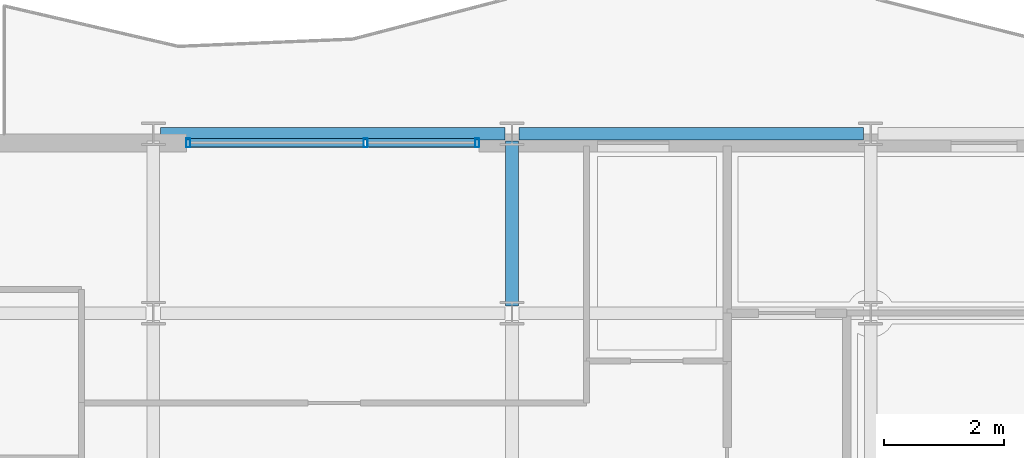
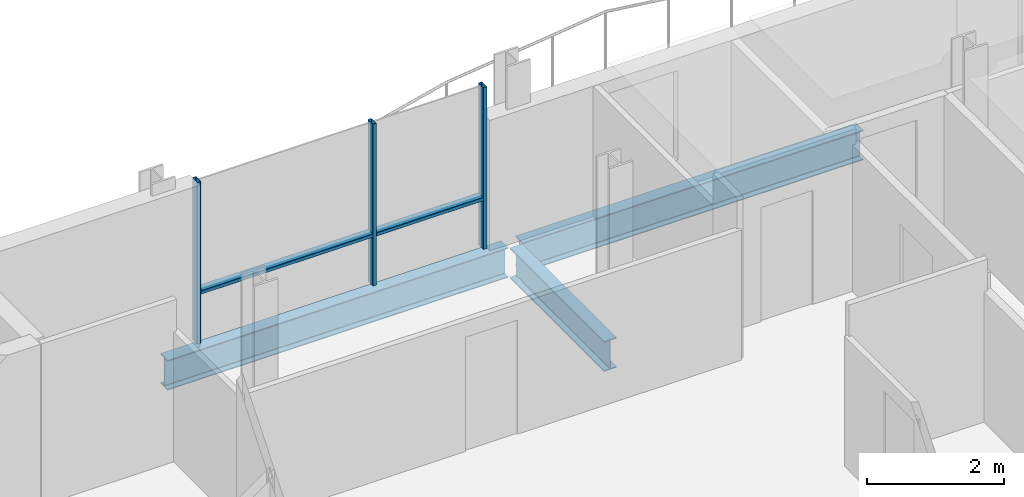
# One storey, part 8 of 38: 5 members, 3 beams, 1 element without a shape of its own.
"""IFC4 building model written with IfcOpenShell, lengths in metres."""

from ifc_helpers import new_model, si_unit, direction, frame, origin, origin_2d, place, context, subcontext, project, spatial, hollow_rectangle, i_section, extrude, material, layer, layer_set, material_profile, profile_set, type_object, element, aggregate, save


model = new_model("IFC4")

# Units and contexts
model_context = context("Model", 3, precision=1e-05, world=origin(), true_north=direction((0.0, 1.0)))
body_context = subcontext(model_context, "Body", "Model", "MODEL_VIEW")
ifc_project = project(units=[si_unit("LENGTHUNIT", "METRE"), si_unit("AREAUNIT", "SQUARE_METRE"), si_unit("VOLUMEUNIT", "CUBIC_METRE"), si_unit("PLANEANGLEUNIT", "RADIAN"), si_unit("MASSUNIT", "GRAM", prefix="KILO")], contexts=[model_context])

# Site, building, storey
site_placement = place(None, origin())
site = spatial("IfcSite", under=ifc_project, at=site_placement, CompositionType="ELEMENT")
building_placement = place(site_placement, origin())
building = spatial("IfcBuilding", under=site, at=building_placement, Name="Brevholm Reach", CompositionType="ELEMENT")
storey_placement = place(building_placement, frame((0.0, 0.0, 186.300048828125)))
storey = spatial("IfcBuildingStorey", under=building, at=storey_placement, Name="L56", CompositionType="ELEMENT", Elevation=186.300048828125)

# Beams
ifc_material_1 = material(Name="Structural Steel S355J2", Category="steel")
ifc_material_profile_1 = material_profile(ifc_material_1, i_section(OverallWidth=0.209228515625, OverallDepth=0.533203125, WebThickness=0.010009765625, FlangeThickness=0.015625, FilletRadius=0.0126953125, at=origin_2d()), Name="UKB 533x210x92")
ifc_profile_set_1 = profile_set([ifc_material_profile_1], Name="Structural Steel S355J2")
beam_type_1 = type_object("IfcBeamType", Name="BM-SP533", PredefinedType="SPANDREL", material=ifc_profile_set_1)
for number, where, z_axis, x_axis, name in (
    (1, (6.1201171875, 26.5, -0.4765625), (1.0, 0.0, 0.0), (0.0, 1.0, 0.0), "L56 SP-02 Framing Beam"),
    (2, (12.1201171875, 26.5, -0.4765625), (1.0, 0.0, 0.0), (0.0, 1.0, 0.0), "L56 SP-02 Framing Beam"),
):
    element("IfcBeam", number, at=place(storey_placement, frame(where, z_axis=z_axis, x_axis=x_axis)), inside=storey, type_object=beam_type_1, Name=name, PredefinedType="SPANDREL", context=body_context, shape_type="SweptSolid", body=[
        extrude(i_section(OverallWidth=0.209228515625, OverallDepth=0.533203125, WebThickness=0.010009765625, FlangeThickness=0.015625, FilletRadius=0.0126953125, at=origin_2d()), origin(), (0.0, 0.0, 1.0), 5.759765625),
    ])
ifc_material_2 = material(Name="Structural Steel S355J2", Category="steel")
ifc_material_profile_2 = material_profile(ifc_material_2, i_section(OverallWidth=0.210693359375, OverallDepth=0.53955078125, WebThickness=0.01171875, FlangeThickness=0.018798828125, FilletRadius=0.0126953125, at=origin_2d()), Name="UKB 533x210x109")
ifc_profile_set_2 = profile_set([ifc_material_profile_2], Name="Structural Steel S355J2")
beam_type_2 = type_object("IfcBeamType", Name="BM-SP539", PredefinedType="SPANDREL", material=ifc_profile_set_2)
beam_placement = place(storey_placement, frame((12.0, 23.6201171875, -0.479736328125), z_axis=(0.0, 1.0, 0.0), x_axis=(-1.0, 0.0, 0.0)))
element("IfcBeam", 3, at=beam_placement, inside=storey, type_object=beam_type_2, Name="L56 SP-01B Framing Beam", PredefinedType="SPANDREL", context=body_context, shape_type="SweptSolid", body=[
    extrude(i_section(OverallWidth=0.210693359375, OverallDepth=0.53955078125, WebThickness=0.01171875, FlangeThickness=0.018798828125, FilletRadius=0.0126953125, at=origin_2d()), origin(), (0.0, 0.0, 1.0), 2.759765625),
])

# Curtain wall, members
ifc_material_3 = material(Name="Dark Anodised Aluminium 6063-T6 and Solar-Control Glass", Category="aluminium")
ifc_layer = layer(ifc_material_3, 0.14990234375)
ifc_layer_set = layer_set([ifc_layer], Name="Dark Anodised Aluminium 6063-T6 and Solar-Control Glass")
curtain_wall_type = type_object("IfcCurtainWallType", Name="CW-01", PredefinedType="NOTDEFINED", material=ifc_layer_set)
curtain_wall_placement = place(storey_placement, origin())
curtain_wall = element("IfcCurtainWall", 4, at=curtain_wall_placement, inside=storey, type_object=curtain_wall_type, Name="L56 Curtain Wall CW-01", PredefinedType="NOTDEFINED")
ifc_material_4 = material(Name="Dark Anodised Aluminium 6063-T6", Category="aluminium")
ifc_material_profile_3 = material_profile(ifc_material_4, hollow_rectangle(XDim=0.06494140625, YDim=0.14990234375, WallThickness=0.0048828125, InnerFilletRadius=0.0048828125, OuterFilletRadius=0.010009765625, at=origin_2d()), Name="RHS 150x65x5")
ifc_profile_set_3 = profile_set([ifc_material_profile_3], Name="Dark Anodised Aluminium 6063-T6")
member_type_1 = type_object("IfcMemberType", Name="CWM-150", PredefinedType="MULLION", material=ifc_profile_set_3)
member_1_placement = place(storey_placement, frame((6.58251953125, 26.35009765625, 0.0), z_axis=(0.0, 0.0, 1.0), x_axis=(1.0, 0.0, 0.0)))
member_1 = element("IfcMember", 5, at=member_1_placement, type_object=member_type_1, Name="CM-150 Mullion 1", PredefinedType="MULLION", context=body_context, shape_type="SweptSolid", body=[
    extrude(hollow_rectangle(XDim=0.06494140625, YDim=0.14990234375, WallThickness=0.0048828125, InnerFilletRadius=0.0048828125, OuterFilletRadius=0.010009765625, at=origin_2d()), origin(), (0.0, 0.0, 1.0), 2.889892578125),
])
member_2_placement = place(storey_placement, frame((9.550048828125, 26.35009765625, 0.0), z_axis=(0.0, 0.0, 1.0), x_axis=(1.0, 0.0, 0.0)))
member_2 = element("IfcMember", 6, at=member_2_placement, type_object=member_type_1, Name="CM-150 Mullion 2", PredefinedType="MULLION", context=body_context, shape_type="SweptSolid", body=[
    extrude(hollow_rectangle(XDim=0.06494140625, YDim=0.14990234375, WallThickness=0.0048828125, InnerFilletRadius=0.0048828125, OuterFilletRadius=0.010009765625, at=origin_2d()), origin(), (0.0, 0.0, 1.0), 2.889892578125),
])
member_3_placement = place(storey_placement, frame((11.41748046875, 26.35009765625, 0.0), z_axis=(0.0, 0.0, 1.0), x_axis=(1.0, 0.0, 0.0)))
member_3 = element("IfcMember", 7, at=member_3_placement, type_object=member_type_1, Name="CM-150 Mullion 3", PredefinedType="MULLION", context=body_context, shape_type="SweptSolid", body=[
    extrude(hollow_rectangle(XDim=0.06494140625, YDim=0.14990234375, WallThickness=0.0048828125, InnerFilletRadius=0.0048828125, OuterFilletRadius=0.010009765625, at=origin_2d()), origin(), (0.0, 0.0, 1.0), 2.889892578125),
])
ifc_material_5 = material(Name="Dark Anodised Aluminium 6063-T6", Category="aluminium")
ifc_material_profile_4 = material_profile(ifc_material_5, hollow_rectangle(XDim=0.06494140625, YDim=0.14990234375, WallThickness=0.0048828125, InnerFilletRadius=0.0048828125, OuterFilletRadius=0.010009765625, at=origin_2d()), Name="RHS 150x65x5")
ifc_profile_set_4 = profile_set([ifc_material_profile_4], Name="Dark Anodised Aluminium 6063-T6")
member_type_2 = type_object("IfcMemberType", Name="CWT-150", PredefinedType="NOTDEFINED", material=ifc_profile_set_4)
member_4_placement = place(storey_placement, frame((6.614990234375, 26.35009765625, 0.89990234375), z_axis=(1.0, 0.0, 0.0), x_axis=(0.0, 0.0, 1.0)))
member_4 = element("IfcMember", 8, at=member_4_placement, type_object=member_type_2, Name="CT-150 Transom 1.1", ObjectType="TRANSOM", PredefinedType="USERDEFINED", context=body_context, shape_type="SweptSolid", body=[
    extrude(hollow_rectangle(XDim=0.06494140625, YDim=0.14990234375, WallThickness=0.0048828125, InnerFilletRadius=0.0048828125, OuterFilletRadius=0.010009765625, at=origin_2d()), origin(), (0.0, 0.0, 1.0), 2.902587890625),
])
member_5_placement = place(storey_placement, frame((9.58251953125, 26.35009765625, 0.89990234375), z_axis=(1.0, 0.0, 0.0), x_axis=(0.0, 0.0, 1.0)))
member_5 = element("IfcMember", 9, at=member_5_placement, type_object=member_type_2, Name="CT-150 Transom 2.1", ObjectType="TRANSOM", PredefinedType="USERDEFINED", context=body_context, shape_type="SweptSolid", body=[
    extrude(hollow_rectangle(XDim=0.06494140625, YDim=0.14990234375, WallThickness=0.0048828125, InnerFilletRadius=0.0048828125, OuterFilletRadius=0.010009765625, at=origin_2d()), origin(), (0.0, 0.0, 1.0), 1.802490234375),
])
aggregate(curtain_wall, [member_1, member_2, member_3, member_4, member_5])

save(model, "model.ifc")
